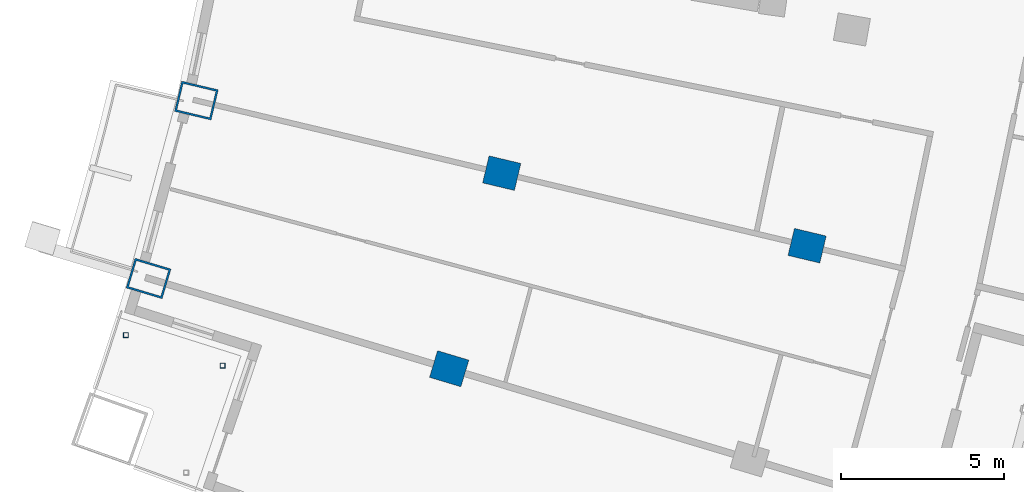
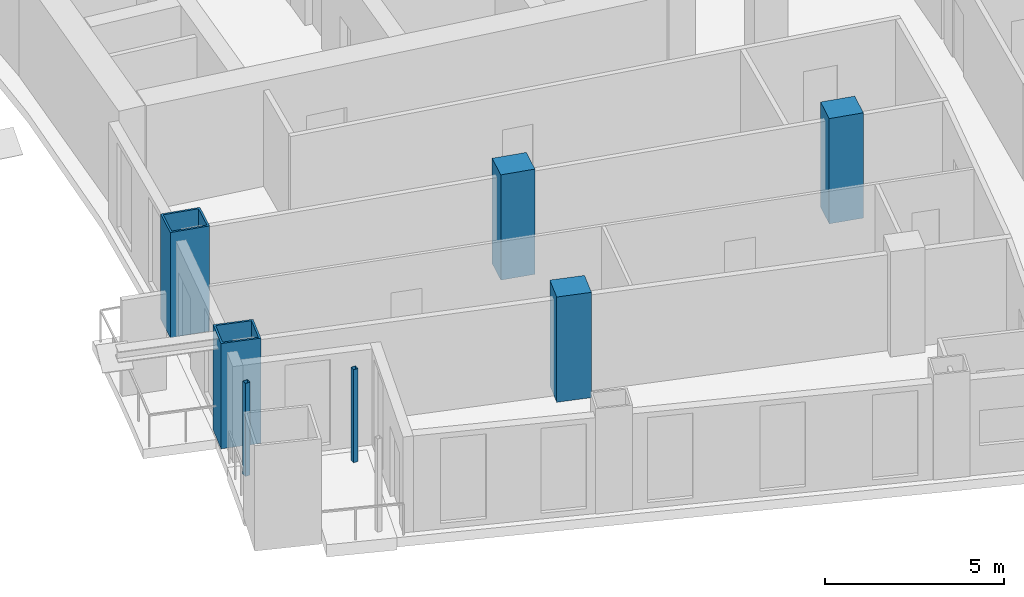
# One storey, part 3 of 25: 7 columns.
"""IFC4 building model written with IfcOpenShell, lengths in metres."""

from ifc_helpers import new_model, si_unit, direction, frame, origin, origin_2d, place, context, subcontext, project, spatial, rectangle, hollow_rectangle, extrude, material, material_profile, profile_set, type_object, element, save


model = new_model("IFC4")

# Units and contexts
model_context = context("Model", 3, precision=1e-05, world=origin(), true_north=direction((0.0, 1.0)))
body_context = subcontext(model_context, "Body", "Model", "MODEL_VIEW")
ifc_project = project(units=[si_unit("LENGTHUNIT", "METRE"), si_unit("AREAUNIT", "SQUARE_METRE"), si_unit("VOLUMEUNIT", "CUBIC_METRE"), si_unit("PLANEANGLEUNIT", "RADIAN"), si_unit("MASSUNIT", "GRAM", prefix="KILO")], contexts=[model_context])

# Site, building, storey
site_placement = place(None, origin())
site = spatial("IfcSite", under=ifc_project, at=site_placement, CompositionType="ELEMENT")
building_placement = place(site_placement, origin())
building = spatial("IfcBuilding", under=site, at=building_placement, Name="Alderwake Tower", CompositionType="ELEMENT")
storey_placement = place(building_placement, frame((0.0, 0.0, 89.60009765625)))
storey = spatial("IfcBuildingStorey", under=building, at=storey_placement, Name="L21", CompositionType="ELEMENT", Elevation=89.60009765625)

# Columns
ifc_material_1 = material(Name="Concrete C70/85", Category="concrete")
ifc_material_profile_1 = material_profile(ifc_material_1, rectangle(XDim=0.85009765625, YDim=1.0, at=origin_2d()), Name="RC 1000X850")
ifc_profile_set_1 = profile_set([ifc_material_profile_1], Name="Concrete C70/85")
column_type_1 = type_object("IfcColumnType", Name="Interior column Z2", PredefinedType="COLUMN", material=ifc_profile_set_1)
for number, where, z_axis, x_axis, name in (
    (1, (21.714599609375, 30.46240234375, 0.0), (0.0, 0.0, 1.0), (0.287549418125, 0.957765802342, 0.0), "Column R02-C1"),
    (2, (23.322021484375, 36.444091796875, 0.0), (0.0, 0.0, 1.0), (0.231221547198, 0.972901123502, 0.0), "Column R03-C1"),
    (3, (32.661865234375, 34.224609375, 0.0), (0.0, 0.0, 1.0), (0.231221547198, 0.972901123502, 0.0), "Column R03-C2"),
):
    element("IfcColumn", number, at=place(storey_placement, frame(where, z_axis=z_axis, x_axis=x_axis)), inside=storey, type_object=column_type_1, Name=name, PredefinedType="COLUMN", context=body_context, shape_type="SweptSolid", body=[
        extrude(rectangle(XDim=0.85009765625, YDim=1.0, at=origin_2d()), origin(), (0.0, 0.0, 1.0), 3.599853515625),
    ])
ifc_material_2 = material(Name="Steel ASTM A500 Grade C", Category="steel")
ifc_material_profile_2 = material_profile(ifc_material_2, hollow_rectangle(XDim=0.15234375, YDim=0.15234375, WallThickness=0.0087890625, at=origin_2d()), Name="HSS6X6X3/8")
ifc_profile_set_2 = profile_set([ifc_material_profile_2], Name="Steel ASTM A500 Grade C")
column_type_2 = type_object("IfcColumnType", Name="Light post HSS6X6X3/8", PredefinedType="COLUMN", material=ifc_profile_set_2)
for number, where, z_axis, x_axis, name in (
    (4, (11.82568359375, 31.492919921875, 0.0), (0.0, 0.0, 1.0), (1.0, 0.0, 0.0), "Terrace post RS1"),
    (5, (14.781494140625, 30.558349609375, 0.0), (0.0, 0.0, 1.0), (1.0, 0.0, 0.0), "Terrace post RS3"),
):
    element("IfcColumn", number, at=place(storey_placement, frame(where, z_axis=z_axis, x_axis=x_axis)), inside=storey, type_object=column_type_2, Name=name, PredefinedType="COLUMN", context=body_context, shape_type="SweptSolid", body=[
        extrude(hollow_rectangle(XDim=0.15234375, YDim=0.15234375, WallThickness=0.0087890625, at=origin_2d()), origin(), (0.0, 0.0, 1.0), 3.179931640625),
    ])
ifc_material_3 = material(Name="Steel ASTM A572 Grade 50 concrete filled C70/85", Category="concrete")
ifc_material_profile_3 = material_profile(ifc_material_3, hollow_rectangle(XDim=0.949951171875, YDim=1.14990234375, WallThickness=0.06005859375, at=origin_2d()), Name="BOX 1150X950X60")
ifc_profile_set_3 = profile_set([ifc_material_profile_3], Name="Steel ASTM A572 Grade 50 concrete filled C70/85")
column_type_3 = type_object("IfcColumnType", Name="Perimeter column Z2", PredefinedType="COLUMN", material=ifc_profile_set_3)
for number, where, z_axis, x_axis, name in (
    (6, (12.520263671875, 33.222900390625, 0.0), (0.0, 0.0, 1.0), (0.287549418125, 0.957765802342, 0.0), "Column R02-C0"),
    (7, (13.982177734375, 38.6640625, 0.0), (0.0, 0.0, 1.0), (0.231221547198, 0.972901123502, 0.0), "Column R03-C0"),
):
    element("IfcColumn", number, at=place(storey_placement, frame(where, z_axis=z_axis, x_axis=x_axis)), inside=storey, type_object=column_type_3, Name=name, PredefinedType="COLUMN", context=body_context, shape_type="SweptSolid", body=[
        extrude(hollow_rectangle(XDim=0.949951171875, YDim=1.14990234375, WallThickness=0.06005859375, at=origin_2d()), origin(), (0.0, 0.0, 1.0), 3.599853515625),
    ])

save(model, "model.ifc")
